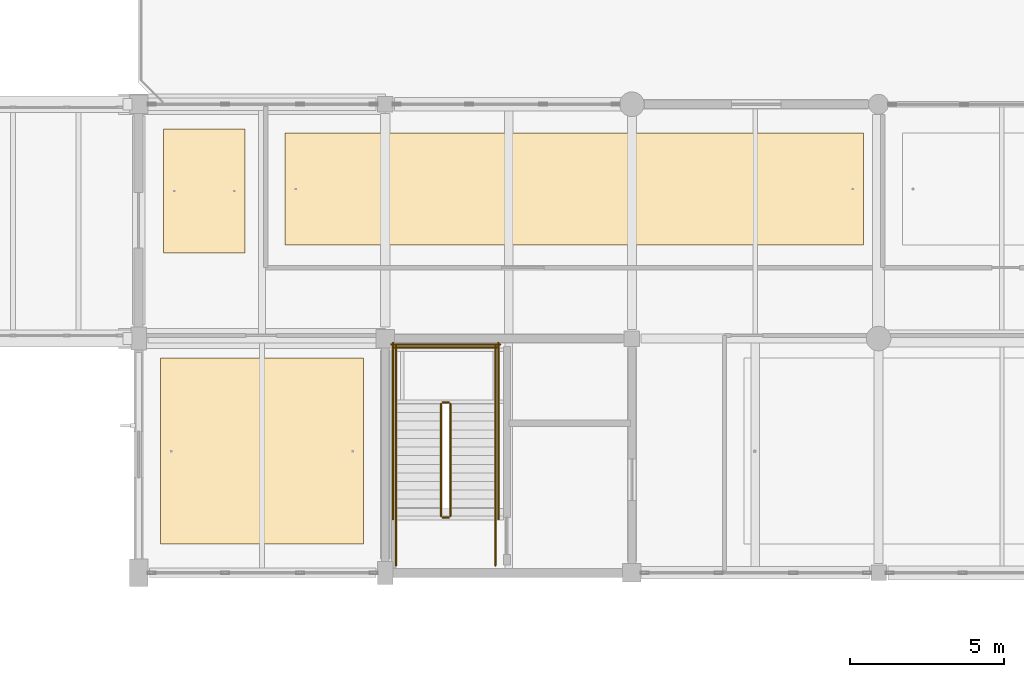
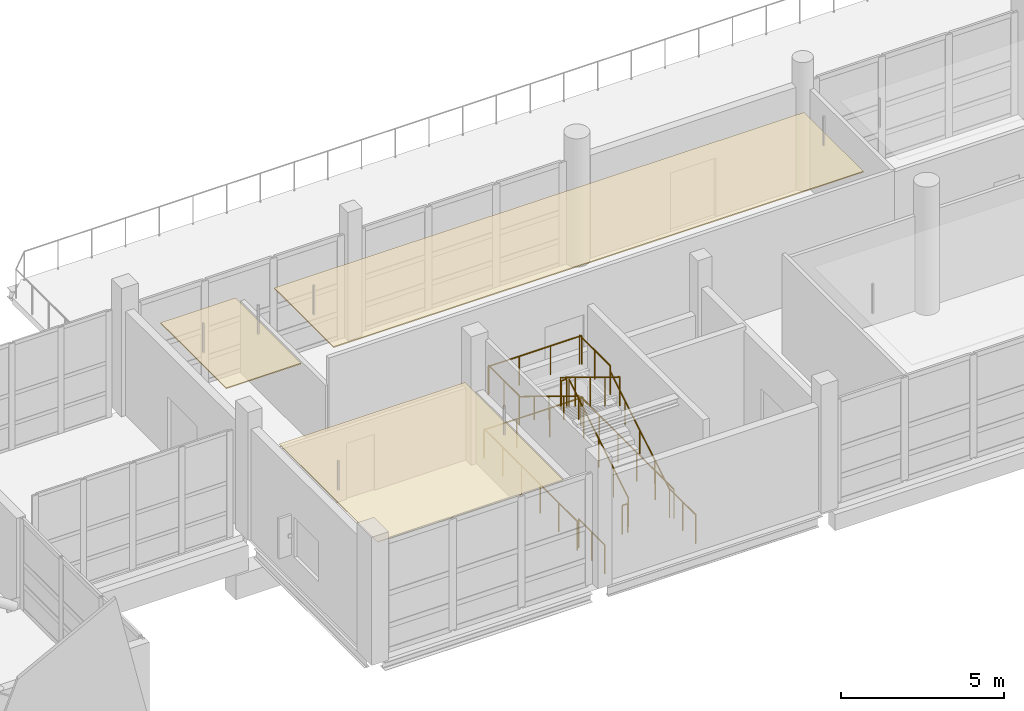
# One storey, part 133 of 147: 14 railings, 3 coverings.
"""IFC4 building model written with IfcOpenShell, lengths in metres."""

from ifc_helpers import new_model, si_unit, direction, frame, origin, origin_2d, place, context, subcontext, project, spatial, polyline, circle, outline, extrude, material, layer, layer_set, type_object, element, save


model = new_model("IFC4")

# Units and contexts
model_context = context("Model", 3, precision=1e-05, world=origin(), true_north=direction((0.0, 1.0)))
body_context = subcontext(model_context, "Body", "Model", "MODEL_VIEW")
ifc_project = project(units=[si_unit("LENGTHUNIT", "METRE"), si_unit("AREAUNIT", "SQUARE_METRE"), si_unit("VOLUMEUNIT", "CUBIC_METRE"), si_unit("PLANEANGLEUNIT", "RADIAN"), si_unit("MASSUNIT", "GRAM", prefix="KILO")], contexts=[model_context])

# Site, building, storey
site_placement = place(None, origin())
site = spatial("IfcSite", under=ifc_project, at=site_placement, CompositionType="ELEMENT")
building_placement = place(site_placement, origin())
building = spatial("IfcBuilding", under=site, at=building_placement, Name="Khelvaren Railside Concert Hall", CompositionType="ELEMENT")
storey_placement = place(building_placement, frame((0.0, 0.0, 5.39990234375)))
storey = spatial("IfcBuildingStorey", under=building, at=storey_placement, Name="L01", CompositionType="ELEMENT", Elevation=5.39990234375)

# Coverings
ifc_material_1 = material(Name="Mineral-wool acoustic baffle ceiling", Category="gypsum")
ifc_layer_1 = layer(ifc_material_1, 0.0400390625)
ifc_layer_set_1 = layer_set([ifc_layer_1], Name="Mineral-wool acoustic baffle ceiling")
covering_type_1 = type_object("IfcCoveringType", Name="CLG20", PredefinedType="CEILING", material=ifc_layer_set_1)
covering_1_placement = place(storey_placement, frame((0.0, 0.0, 3.41015625)))
element("IfcCovering", 1, at=covering_1_placement, inside=storey, type_object=covering_type_1, Name="Suspended Acoustic Ceiling V3 L01 West Bridge Foyer", PredefinedType="CEILING", context=body_context, shape_type="SweptSolid", body=[
    extrude(outline(polyline([(64.800048828125, 10.3701171875), (67.449951171875, 10.3701171875), (67.449951171875, 14.39990234375), (64.800048828125, 14.39990234375), (64.800048828125, 10.3701171875)])), origin(), (0.0, 0.0, 1.0), 0.0400390625),
])
covering_2_placement = place(storey_placement, frame((0.0, 0.0, 3.41015625)))
element("IfcCovering", 2, at=covering_2_placement, inside=storey, type_object=covering_type_1, Name="Suspended Acoustic Ceiling Music Archive Reading Salon", PredefinedType="CEILING", context=body_context, shape_type="SweptSolid", body=[
    extrude(outline(polyline([(68.75, 10.6298828125), (87.509033203125, 10.6298828125), (87.509033203125, 14.27001953125), (68.75, 14.27001953125), (68.75, 10.6298828125)])), origin(), (0.0, 0.0, 1.0), 0.0400390625),
])
ifc_material_2 = material(Name="Micro-perforated timber acoustic ceiling", Category="wood")
ifc_layer_2 = layer(ifc_material_2, 0.030029296875)
ifc_layer_set_2 = layer_set([ifc_layer_2], Name="Micro-perforated timber acoustic ceiling")
covering_type_2 = type_object("IfcCoveringType", Name="CLG77", PredefinedType="CEILING", material=ifc_layer_set_2)
covering_3_placement = place(storey_placement, frame((0.0, 0.0, 3.420166015625)))
element("IfcCovering", 3, at=covering_3_placement, inside=storey, type_object=covering_type_2, Name="Suspended Acoustic Ceiling Archive West Study Alcove L01", PredefinedType="CEILING", context=body_context, shape_type="SweptSolid", body=[
    extrude(outline(polyline([(64.7099609375, 0.929931640625), (71.2900390625, 0.929931640625), (71.2900390625, 6.969970703125), (64.7099609375, 6.969970703125), (64.7099609375, 0.929931640625)])), origin(), (0.0, 0.0, 1.0), 0.030029296875),
])

# Railings
ifc_material_3 = material(Name="Painted architectural steel", Category="steel")
railing_type_1 = type_object("IfcRailingType", Name="GRD86", PredefinedType="GUARDRAIL", material=ifc_material_3)
railing_1_placement = place(storey_placement, frame((74.110107421875, 1.840087890625, 0.171630859375)))
element("IfcRailing", 4, at=railing_1_placement, inside=storey, type_object=railing_type_1, Name="L01 ST-05 stair guard 1", PredefinedType="GUARDRAIL", context=body_context, shape_type="SweptSolid", body=[
    extrude(circle(Radius=0.02392578125, at=origin_2d()), frame((0.0, 0.0, 1.076171875), z_axis=(0.0, 0.852850264322, 0.5221555579), x_axis=(-1.0, 0.0, 0.0)), (0.0, 0.0, 1.0), 4.267822265625),
    extrude(circle(Radius=0.02099609375, at=origin_2d()), origin(), (0.0, 0.0, 1.0), 1.052001953125),
    extrude(circle(Radius=0.02099609375, at=origin_2d()), frame((0.0, 0.909912109375, 0.55712890625)), (0.0, 0.0, 1.0), 1.052001953125),
    extrude(circle(Radius=0.02099609375, at=origin_2d()), frame((0.0, 1.81982421875, 1.1142578125)), (0.0, 0.0, 1.0), 1.052001953125),
    extrude(circle(Radius=0.02099609375, at=origin_2d()), frame((0.0, 2.72998046875, 1.67138671875)), (0.0, 0.0, 1.0), 1.052001953125),
    extrude(circle(Radius=0.02099609375, at=origin_2d()), frame((0.0, 3.639892578125, 2.228515625)), (0.0, 0.0, 1.0), 1.052001953125),
])
railing_2_placement = place(storey_placement, frame((74.06005859375, 5.530029296875, 2.400146484375)))
element("IfcRailing", 5, at=railing_2_placement, inside=storey, type_object=railing_type_1, Name="L01 ST-05 stair guard 2", PredefinedType="GUARDRAIL", context=body_context, shape_type="SweptSolid", body=[
    extrude(circle(Radius=0.02392578125, at=origin_2d()), frame((0.0, 0.0, 1.076171875), z_axis=(-1.0, 0.0, 0.0), x_axis=(0.0, -1.0, 0.0)), (0.0, 0.0, 1.0), 0.199951171875),
    extrude(circle(Radius=0.02099609375, at=origin_2d()), origin(), (0.0, 0.0, 1.0), 1.052001953125),
    extrude(circle(Radius=0.02099609375, at=origin_2d()), frame((-0.199951171875, 0.0, 0.0)), (0.0, 0.0, 1.0), 1.052001953125),
])
for number, where, name in (
    (6, (75.570068359375, 5.47998046875, 2.400146484375), "L01 ST-05 stair guard 3"),
    (7, (72.35009765625, 5.47998046875, 2.400146484375), "L01 ST-05 stair guard 4"),
):
    element("IfcRailing", number, at=place(storey_placement, frame(where)), inside=storey, type_object=railing_type_1, Name=name, PredefinedType="GUARDRAIL", context=body_context, shape_type="SweptSolid", body=[
        extrude(circle(Radius=0.02392578125, at=origin_2d()), frame((0.0, 0.0, 1.076171875), z_axis=(0.0, 1.0, 0.0), x_axis=(-1.0, 0.0, 0.0)), (0.0, 0.0, 1.0), 1.880126953125),
        extrude(circle(Radius=0.02099609375, at=origin_2d()), origin(), (0.0, 0.0, 1.0), 1.052001953125),
        extrude(circle(Radius=0.02099609375, at=origin_2d()), frame((0.0, 0.93994140625, 0.0)), (0.0, 0.0, 1.0), 1.052001953125),
        extrude(circle(Radius=0.02099609375, at=origin_2d()), frame((0.0, 1.880126953125, 0.0)), (0.0, 0.0, 1.0), 1.052001953125),
    ])
railing_3_placement = place(storey_placement, frame((75.6201171875, 7.31005859375, 2.400146484375)))
element("IfcRailing", 8, at=railing_3_placement, inside=storey, type_object=railing_type_1, Name="L01 ST-05 stair guard 5", PredefinedType="GUARDRAIL", context=body_context, shape_type="SweptSolid", body=[
    extrude(circle(Radius=0.02392578125, at=origin_2d()), frame((0.0, 0.0, 1.076171875), z_axis=(-1.0, 0.0, 0.0), x_axis=(0.0, -1.0, 0.0)), (0.0, 0.0, 1.0), 3.320068359375),
    extrude(circle(Radius=0.02099609375, at=origin_2d()), origin(), (0.0, 0.0, 1.0), 1.052001953125),
    extrude(circle(Radius=0.02099609375, at=origin_2d()), frame((-1.106689453125, 0.0, 0.0)), (0.0, 0.0, 1.0), 1.052001953125),
    extrude(circle(Radius=0.02099609375, at=origin_2d()), frame((-2.21337890625, 0.0, 0.0)), (0.0, 0.0, 1.0), 1.052001953125),
    extrude(circle(Radius=0.02099609375, at=origin_2d()), frame((-3.320068359375, 0.0, 0.0)), (0.0, 0.0, 1.0), 1.052001953125),
])
railing_4_placement = place(storey_placement, frame((73.81005859375, 5.47998046875, 2.571533203125)))
element("IfcRailing", 9, at=railing_4_placement, inside=storey, type_object=railing_type_1, Name="L01 ST-05 stair guard 6", PredefinedType="GUARDRAIL", context=body_context, shape_type="SweptSolid", body=[
    extrude(circle(Radius=0.02392578125, at=origin_2d()), frame((0.0, 0.0, 1.076171875), z_axis=(0.0, -0.852850264322, 0.5221555579), x_axis=(1.0, 0.0, 0.0)), (0.0, 0.0, 1.0), 4.267822265625),
    extrude(circle(Radius=0.02099609375, at=origin_2d()), origin(), (0.0, 0.0, 1.0), 1.052001953125),
    extrude(circle(Radius=0.02099609375, at=origin_2d()), frame((0.0, -0.909912109375, 0.55712890625)), (0.0, 0.0, 1.0), 1.052001953125),
    extrude(circle(Radius=0.02099609375, at=origin_2d()), frame((0.0, -1.81982421875, 1.1142578125)), (0.0, 0.0, 1.0), 1.052001953125),
    extrude(circle(Radius=0.02099609375, at=origin_2d()), frame((0.0, -2.72998046875, 1.67138671875)), (0.0, 0.0, 1.0), 1.052001953125),
    extrude(circle(Radius=0.02099609375, at=origin_2d()), frame((0.0, -3.639892578125, 2.228515625)), (0.0, 0.0, 1.0), 1.052001953125),
])
railing_5_placement = place(storey_placement, frame((74.06005859375, 1.7900390625, 0.0)))
element("IfcRailing", 10, at=railing_5_placement, inside=storey, type_object=railing_type_1, Name="L01 ST-05 stair guard 7", PredefinedType="GUARDRAIL", context=body_context, shape_type="SweptSolid", body=[
    extrude(circle(Radius=0.02392578125, at=origin_2d()), frame((0.0, 0.0, 1.076171875), z_axis=(-1.0, 0.0, 0.0), x_axis=(0.0, -1.0, 0.0)), (0.0, 0.0, 1.0), 0.199951171875),
    extrude(circle(Radius=0.02099609375, at=origin_2d()), origin(), (0.0, 0.0, 1.0), 1.052001953125),
    extrude(circle(Radius=0.02099609375, at=origin_2d()), frame((-0.199951171875, 0.0, 0.0)), (0.0, 0.0, 1.0), 1.052001953125),
])
for number, where, name in (
    (11, (75.570068359375, 0.239990234375, 0.0), "L01 ST-05 stair guard 8"),
    (12, (72.35009765625, 0.239990234375, 0.0), "L01 ST-05 stair guard 9"),
):
    element("IfcRailing", number, at=place(storey_placement, frame(where)), inside=storey, type_object=railing_type_1, Name=name, PredefinedType="GUARDRAIL", context=body_context, shape_type="SweptSolid", body=[
        extrude(circle(Radius=0.02392578125, at=origin_2d()), frame((0.0, 0.0, 1.076171875), z_axis=(0.0, 1.0, 0.0), x_axis=(-1.0, 0.0, 0.0)), (0.0, 0.0, 1.0), 1.60009765625),
        extrude(circle(Radius=0.02099609375, at=origin_2d()), origin(), (0.0, 0.0, 1.0), 1.052001953125),
        extrude(circle(Radius=0.02099609375, at=origin_2d()), frame((0.0, 0.800048828125, 0.0)), (0.0, 0.0, 1.0), 1.052001953125),
        extrude(circle(Radius=0.02099609375, at=origin_2d()), frame((0.0, 1.60009765625, 0.0)), (0.0, 0.0, 1.0), 1.052001953125),
    ])
for number, where, name in (
    (13, (75.669921875, 1.739990234375, 0.0), "L01 ST-05 stair guard 10"),
    (14, (72.25, 1.739990234375, 0.0), "L01 ST-05 stair guard 11"),
):
    element("IfcRailing", number, at=place(storey_placement, frame(where)), inside=storey, type_object=railing_type_1, Name=name, PredefinedType="GUARDRAIL", context=body_context, shape_type="SweptSolid", body=[
        extrude(circle(Radius=0.02392578125, at=origin_2d()), frame((0.0, 0.0, 1.076171875), z_axis=(0.0, 1.0, 0.0), x_axis=(-1.0, 0.0, 0.0)), (0.0, 0.0, 1.0), 5.719970703125),
        extrude(circle(Radius=0.02099609375, at=origin_2d()), origin(), (0.0, 0.0, 1.0), 1.052001953125),
        extrude(circle(Radius=0.02099609375, at=origin_2d()), frame((0.0, 1.14404296875, 0.0)), (0.0, 0.0, 1.0), 1.052001953125),
        extrude(circle(Radius=0.02099609375, at=origin_2d()), frame((0.0, 2.2880859375, 0.0)), (0.0, 0.0, 1.0), 1.052001953125),
        extrude(circle(Radius=0.02099609375, at=origin_2d()), frame((0.0, 3.431884765625, 0.0)), (0.0, 0.0, 1.0), 1.052001953125),
        extrude(circle(Radius=0.02099609375, at=origin_2d()), frame((0.0, 4.575927734375, 0.0)), (0.0, 0.0, 1.0), 1.052001953125),
        extrude(circle(Radius=0.02099609375, at=origin_2d()), frame((0.0, 5.719970703125, 0.0)), (0.0, 0.0, 1.0), 1.052001953125),
    ])
railing_6_placement = place(storey_placement, frame((75.719970703125, 7.409912109375, 0.0)))
element("IfcRailing", 15, at=railing_6_placement, inside=storey, type_object=railing_type_1, Name="L01 ST-05 stair guard 12", PredefinedType="GUARDRAIL", context=body_context, shape_type="SweptSolid", body=[
    extrude(circle(Radius=0.02392578125, at=origin_2d()), frame((0.0, 0.0, 1.076171875), z_axis=(-1.0, 0.0, 0.0), x_axis=(0.0, -1.0, 0.0)), (0.0, 0.0, 1.0), 3.52001953125),
    extrude(circle(Radius=0.02099609375, at=origin_2d()), origin(), (0.0, 0.0, 1.0), 1.052001953125),
    extrude(circle(Radius=0.02099609375, at=origin_2d()), frame((-1.17333984375, 0.0, 0.0)), (0.0, 0.0, 1.0), 1.052001953125),
    extrude(circle(Radius=0.02099609375, at=origin_2d()), frame((-2.3466796875, 0.0, 0.0)), (0.0, 0.0, 1.0), 1.052001953125),
    extrude(circle(Radius=0.02099609375, at=origin_2d()), frame((-3.52001953125, 0.0, 0.0)), (0.0, 0.0, 1.0), 1.052001953125),
])
ifc_material_4 = material(Name="Brushed stainless steel Grade 316", Category="steel")
railing_type_2 = type_object("IfcRailingType", Name="HRL59", PredefinedType="HANDRAIL", material=ifc_material_4)
railing_7_placement = place(storey_placement, frame((75.570068359375, 1.840087890625, 0.171630859375)))
element("IfcRailing", 16, at=railing_7_placement, inside=storey, type_object=railing_type_2, Name="L01 ST-05 stair handrail 1", PredefinedType="HANDRAIL", context=body_context, shape_type="SweptSolid", body=[
    extrude(circle(Radius=0.02392578125, at=origin_2d()), frame((0.0, 0.0, 0.8759765625), z_axis=(0.0, 0.852850264322, 0.5221555579), x_axis=(-1.0, 0.0, 0.0)), (0.0, 0.0, 1.0), 4.267822265625),
    extrude(circle(Radius=0.02099609375, at=origin_2d()), origin(), (0.0, 0.0, 1.0), 0.851806640625),
    extrude(circle(Radius=0.02099609375, at=origin_2d()), frame((0.0, 0.909912109375, 0.55712890625)), (0.0, 0.0, 1.0), 0.851806640625),
    extrude(circle(Radius=0.02099609375, at=origin_2d()), frame((0.0, 1.81982421875, 1.1142578125)), (0.0, 0.0, 1.0), 0.851806640625),
    extrude(circle(Radius=0.02099609375, at=origin_2d()), frame((0.0, 2.72998046875, 1.67138671875)), (0.0, 0.0, 1.0), 0.851806640625),
    extrude(circle(Radius=0.02099609375, at=origin_2d()), frame((0.0, 3.639892578125, 2.228515625)), (0.0, 0.0, 1.0), 0.851806640625),
])
railing_8_placement = place(storey_placement, frame((72.35009765625, 5.47998046875, 2.571533203125)))
element("IfcRailing", 17, at=railing_8_placement, inside=storey, type_object=railing_type_2, Name="L01 ST-05 stair handrail 2", PredefinedType="HANDRAIL", context=body_context, shape_type="SweptSolid", body=[
    extrude(circle(Radius=0.02392578125, at=origin_2d()), frame((0.0, 0.0, 0.8759765625), z_axis=(0.0, -0.852850264322, 0.5221555579), x_axis=(1.0, 0.0, 0.0)), (0.0, 0.0, 1.0), 4.267822265625),
    extrude(circle(Radius=0.02099609375, at=origin_2d()), origin(), (0.0, 0.0, 1.0), 0.851806640625),
    extrude(circle(Radius=0.02099609375, at=origin_2d()), frame((0.0, -0.909912109375, 0.55712890625)), (0.0, 0.0, 1.0), 0.851806640625),
    extrude(circle(Radius=0.02099609375, at=origin_2d()), frame((0.0, -1.81982421875, 1.1142578125)), (0.0, 0.0, 1.0), 0.851806640625),
    extrude(circle(Radius=0.02099609375, at=origin_2d()), frame((0.0, -2.72998046875, 1.67138671875)), (0.0, 0.0, 1.0), 0.851806640625),
    extrude(circle(Radius=0.02099609375, at=origin_2d()), frame((0.0, -3.639892578125, 2.228515625)), (0.0, 0.0, 1.0), 0.851806640625),
])

save(model, "model.ifc")
